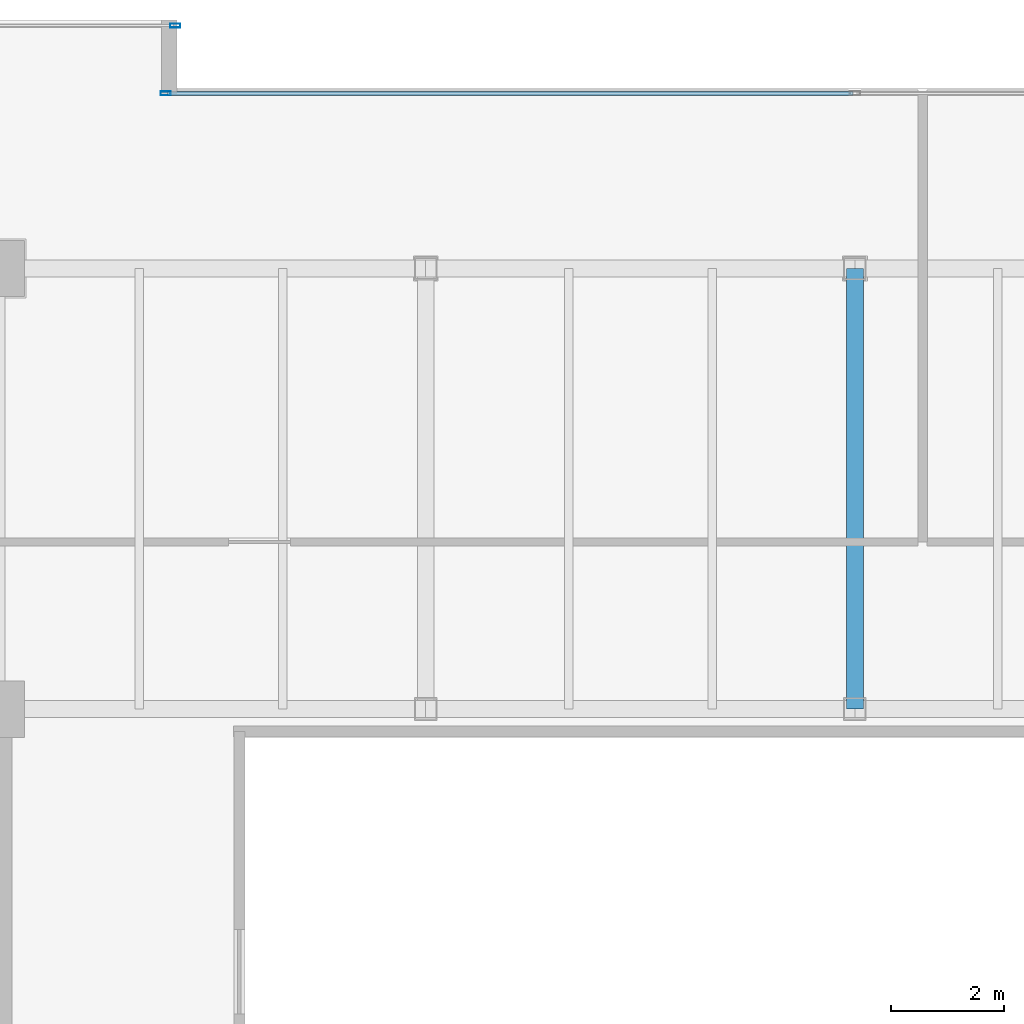
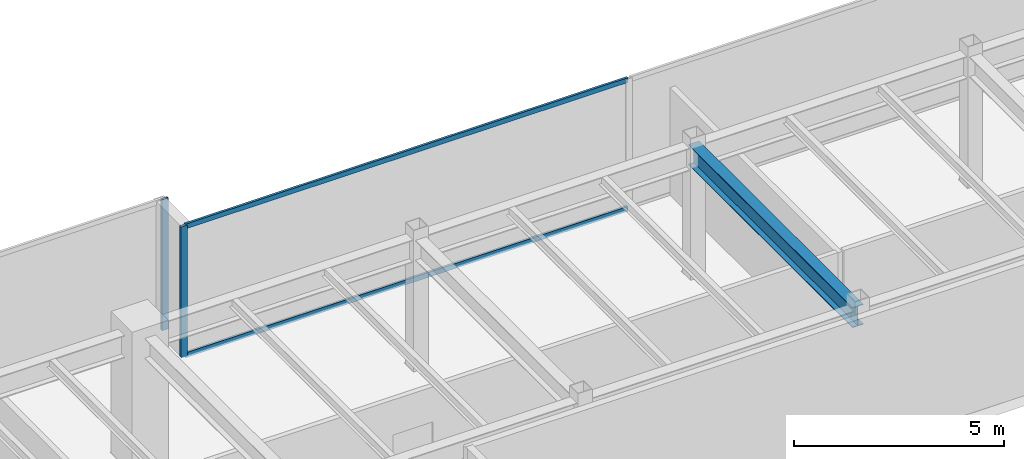
# One storey, part 17 of 35: 4 members, 1 beam, 2 elements without a shape of their own.
"""IFC4 building model written with IfcOpenShell, lengths in metres."""

import ifcopenshell
import ifcopenshell.guid

model = None  # the IFC model being written
_history = None  # IfcOwnerHistory: only IFC2X3 demands one
_inside = {}  # id of a spatial element -> (the spatial element, [elements in it])
_under = {}  # id of a project, library or spatial element -> (it, [spatial elements below it])
_declared = {}  # id of a project -> (the project, [libraries it declares])
_typed = {}  # id of a type object -> (the type object, [elements of that type])
_made_of = {}  # id of a material, layer set ... -> (it, [elements and type objects made of it])


def new_model(schema):
    """Start an empty IFC model of exactly this schema.

    Asked for "IFC4X3", IfcOpenShell would pick the latest addendum, in which some entities
    have other attributes; the version numbers below select the first issue.
    IFC2X3 requires an IfcOwnerHistory on every rooted entity: one is made here for all.
    """
    global model, _history
    if schema == "IFC4X3":
        model = ifcopenshell.file(schema_version=(4, 3, 0, 0))
    else:
        model = ifcopenshell.file(schema=schema)
    _inside.clear()
    _under.clear()
    _declared.clear()
    _typed.clear()
    _made_of.clear()
    _history = None
    if model.schema == "IFC2X3":
        org = make("IfcOrganization", Name="unknown")
        user = make(
            "IfcPersonAndOrganization",
            ThePerson=make("IfcPerson", FamilyName="unknown"),
            TheOrganization=org,
        )
        app = make(
            "IfcApplication",
            ApplicationDeveloper=org,
            Version="unknown",
            ApplicationFullName="unknown",
            ApplicationIdentifier="unknown",
        )
        _history = make(
            "IfcOwnerHistory",
            OwningUser=user,
            OwningApplication=app,
            ChangeAction="ADDED",
            CreationDate=0,
        )
    return model


def make(cls, **values):
    """One entity of the class cls with the attributes given. An attribute that is None is left unset."""
    return model.create_entity(
        cls, **{name: value for name, value in values.items() if value is not None}
    )


def rooted(cls, **values):
    """An entity with a GlobalId (a new one), such as an element, a storey or a relation."""
    return make(cls, GlobalId=ifcopenshell.guid.new(), OwnerHistory=_history, **values)


def si_unit(unit_type, name, prefix=None):
    """IfcSIUnit, for example si_unit("LENGTHUNIT", "METRE", prefix="MILLI")."""
    return make("IfcSIUnit", UnitType=unit_type, Prefix=prefix, Name=name)


def assignment(units):
    """IfcUnitAssignment: the units of a project."""
    return None if units is None else make("IfcUnitAssignment", Units=units)


def point(xyz):
    """IfcCartesianPoint."""
    return None if xyz is None else make("IfcCartesianPoint", Coordinates=xyz)


def direction(xyz):
    """IfcDirection."""
    return None if xyz is None else make("IfcDirection", DirectionRatios=xyz)


def frame(location, z_axis=None, x_axis=None):
    """IfcAxis2Placement3D, a coordinate frame: its origin and axes. An axis left out is left unset."""
    return make(
        "IfcAxis2Placement3D",
        Location=point(location),
        Axis=direction(z_axis),
        RefDirection=direction(x_axis),
    )


def frame_2d(location, x_axis=None):
    """IfcAxis2Placement2D, a coordinate frame in the plane: its origin and x axis."""
    return make(
        "IfcAxis2Placement2D", Location=point(location), RefDirection=direction(x_axis)
    )


def origin():
    """The frame at (0, 0, 0) with its axes left unset."""
    return frame((0.0, 0.0, 0.0))


def origin_2d():
    """The frame at (0, 0) in the plane with its x axis left unset."""
    return frame_2d((0.0, 0.0))


def place(relative_to, where):
    """IfcLocalPlacement: puts the frame where relative to a parent placement (None: the world)."""
    return make(
        "IfcLocalPlacement", PlacementRelTo=relative_to, RelativePlacement=where
    )


def context(
    kind, dimensions, precision=None, world=None, true_north=None, identifier=None
):
    """IfcGeometricRepresentationContext, for example the 3D "Model" context."""
    return make(
        "IfcGeometricRepresentationContext",
        ContextIdentifier=identifier,
        ContextType=kind,
        CoordinateSpaceDimension=dimensions,
        Precision=precision,
        WorldCoordinateSystem=world,
        TrueNorth=true_north,
    )


def subcontext(parent, identifier, kind, view, scale=None):
    """IfcGeometricRepresentationSubContext, for example "Body" below "Model"."""
    return make(
        "IfcGeometricRepresentationSubContext",
        ContextIdentifier=identifier,
        ContextType=kind,
        ParentContext=parent,
        TargetScale=scale,
        TargetView=view,
    )


def project(units=None, contexts=None):
    """IfcProject with its units and contexts."""
    return rooted(
        "IfcProject",
        Name="project",
        RepresentationContexts=contexts,
        UnitsInContext=assignment(units),
    )


def spatial(cls, under=None, at=None, **own):
    """A site, building, storey or space (cls), placed at a placement, below another one or the project."""
    s = rooted(cls, ObjectPlacement=at, **own)
    if under is not None:
        _under.setdefault(under.id(), (under, []))[1].append(s)
    return s


def profile(cls, at=None, kind="AREA", **sizes):
    """A parametric profile (cls). Its sizes go by their IFC names, for example OverallWidth=200.0."""
    return make(cls, ProfileType=kind, Position=at, **sizes)


def hollow_rectangle(**sizes):
    """IfcRectangleHollowProfileDef."""
    return profile("IfcRectangleHollowProfileDef", **sizes)


def i_section(**sizes):
    """IfcIShapeProfileDef."""
    return profile("IfcIShapeProfileDef", **sizes)


def extrude(swept, where, along, depth):
    """IfcExtrudedAreaSolid: the profile swept, set in the frame where, extruded along a direction by depth."""
    return make(
        "IfcExtrudedAreaSolid",
        SweptArea=swept,
        Position=where,
        ExtrudedDirection=direction(along),
        Depth=depth,
    )


def shape(context_of_items, identifier, shape_type, items):
    """IfcShapeRepresentation: the items that make up one representation, for example the "Body"."""
    return make(
        "IfcShapeRepresentation",
        ContextOfItems=context_of_items,
        RepresentationIdentifier=identifier,
        RepresentationType=shape_type,
        Items=items,
    )


def source(mapping_origin, context_of_items, identifier, shape_type, items):
    """IfcRepresentationMap: a shape defined once, which mapped items show again and again."""
    return make(
        "IfcRepresentationMap",
        MappingOrigin=mapping_origin,
        MappedRepresentation=shape(context_of_items, identifier, shape_type, items),
    )


def transform(
    local_origin,
    x_axis=None,
    y_axis=None,
    z_axis=None,
    scale=None,
    scale2=None,
    scale3=None,
    uniform=True,
):
    """IfcCartesianTransformationOperator3D, or its non-uniform kind. x_axis, y_axis, z_axis: its Axis1, 2, 3."""
    if uniform:
        return make(
            "IfcCartesianTransformationOperator3D",
            Axis1=direction(x_axis),
            Axis2=direction(y_axis),
            LocalOrigin=point(local_origin),
            Scale=scale,
            Axis3=direction(z_axis),
        )
    return make(
        "IfcCartesianTransformationOperator3DnonUniform",
        Axis1=direction(x_axis),
        Axis2=direction(y_axis),
        LocalOrigin=point(local_origin),
        Scale=scale,
        Axis3=direction(z_axis),
        Scale2=scale2,
        Scale3=scale3,
    )


def mapped(mapping_source, mapping_target):
    """IfcMappedItem: shows the shape of a source again, moved by a transform."""
    return make(
        "IfcMappedItem", MappingSource=mapping_source, MappingTarget=mapping_target
    )


def material(Name=None, Category=None):
    """IfcMaterial."""
    return make("IfcMaterial", Name=Name, Category=Category)


def layer(
    of_material, thickness, ventilated=None, Name=None, Category=None, Priority=None
):
    """IfcMaterialLayer: one layer of a wall or slab, of a material (None: an air gap)."""
    return make(
        "IfcMaterialLayer",
        Material=of_material,
        LayerThickness=thickness,
        IsVentilated=ventilated,
        Name=Name,
        Category=Category,
        Priority=Priority,
    )


def layer_set(layers, Name=None):
    """IfcMaterialLayerSet."""
    return make("IfcMaterialLayerSet", MaterialLayers=layers, LayerSetName=Name)


def material_profile(
    of_material, cross_section, Name=None, Category=None, Priority=None
):
    """IfcMaterialProfile: a cross section and its material."""
    return make(
        "IfcMaterialProfile",
        Name=Name,
        Material=of_material,
        Profile=cross_section,
        Priority=Priority,
        Category=Category,
    )


def profile_set(profiles, Name=None, composite=None):
    """IfcMaterialProfileSet."""
    return make(
        "IfcMaterialProfileSet",
        Name=Name,
        MaterialProfiles=profiles,
        CompositeProfile=composite,
    )


def made_of(thing, what):
    """Note that an element or type object is made of a material, layer set ...; save() writes the relation."""
    if what is not None:
        _made_of.setdefault(what.id(), (what, []))[1].append(thing)
    return thing


def type_object(cls, material=None, **own):
    """A type object (cls), such as IfcWallType, which elements share."""
    return made_of(rooted(cls, **own), material)


def type_shapes(of_type, sources):
    """Give a type object the sources (RepresentationMaps) that its elements show as mapped items."""
    of_type.RepresentationMaps = sources


def element(
    cls,
    number,
    at=None,
    inside=None,
    cuts=None,
    type_object=None,
    material=None,
    context=None,
    identifier="Body",
    shape_type=None,
    held_by="IfcProductDefinitionShape",
    body=None,
    shapes=None,
    **own,
):
    """One element of the class cls, such as IfcWall. Its Tag is "e" and its number.

    at: its placement. inside: the storey or other place that contains it. cuts: it is an
    opening in that element (IfcRelVoidsElement). A single representation is given by context,
    identifier, shape_type and body (its items); several are given by shapes. held_by: the class
    of the entity that holds the representations. save() writes the other relations.
    """
    e = rooted(cls, Tag="e%d" % number, ObjectPlacement=at, **own)
    if body is not None:
        shapes = [shape(context, identifier, shape_type, body)]
    if shapes is not None:
        e.Representation = make(held_by, Representations=shapes)
    if inside is not None:
        _inside.setdefault(inside.id(), (inside, []))[1].append(e)
    if cuts is not None:
        rooted(
            "IfcRelVoidsElement", RelatingBuildingElement=cuts, RelatedOpeningElement=e
        )
    if type_object is not None:
        _typed.setdefault(type_object.id(), (type_object, []))[1].append(e)
    return made_of(e, material)


def aggregate(whole, parts):
    """IfcRelAggregates: a whole, such as a stair, and the parts it consists of."""
    return rooted("IfcRelAggregates", RelatingObject=whole, RelatedObjects=parts)


def save(model, path):
    """Write the relations noted so far, then the file.

    IfcRelAggregates (storeys below a building ...), IfcRelContainedInSpatialStructure (elements
    in a storey), IfcRelDefinesByType, IfcRelAssociatesMaterial and IfcRelDeclares: one each for
    every whole, place, type object, material and project.
    """
    for whole, parts in _under.values():
        aggregate(whole, parts)
    for where, things in _inside.values():
        rooted(
            "IfcRelContainedInSpatialStructure",
            RelatedElements=things,
            RelatingStructure=where,
        )
    for kind, things in _typed.values():
        rooted("IfcRelDefinesByType", RelatedObjects=things, RelatingType=kind)
    for what, things in _made_of.values():
        rooted("IfcRelAssociatesMaterial", RelatedObjects=things, RelatingMaterial=what)
    for by, libraries in _declared.values():
        rooted("IfcRelDeclares", RelatingContext=by, RelatedDefinitions=libraries)
    model.write(path)


model = new_model("IFC4")

# Units and contexts
model_context = context("Model", 3, precision=1e-05, world=origin(), true_north=direction((0.0, 1.0)))
body_context = subcontext(model_context, "Body", "Model", "MODEL_VIEW")
ifc_project = project(units=[si_unit("LENGTHUNIT", "METRE"), si_unit("AREAUNIT", "SQUARE_METRE"), si_unit("VOLUMEUNIT", "CUBIC_METRE"), si_unit("PLANEANGLEUNIT", "RADIAN"), si_unit("MASSUNIT", "GRAM", prefix="KILO")], contexts=[model_context])

# Site, building, storey
site_placement = place(None, origin())
site = spatial("IfcSite", under=ifc_project, at=site_placement, CompositionType="ELEMENT")
building_placement = place(site_placement, origin())
building = spatial("IfcBuilding", under=site, at=building_placement, Name="Haelvirn Gate Laboratories", CompositionType="ELEMENT")
storey_placement = place(building_placement, frame((0.0, 0.0, 226.0)))
storey = spatial("IfcBuildingStorey", under=building, at=storey_placement, Name="L54", CompositionType="ELEMENT", Elevation=226.0)

# Beam
ifc_material_1 = material(Name="Steel SM355", Category="steel")
ifc_material_profile_1 = material_profile(ifc_material_1, i_section(OverallWidth=0.300048828125, OverallDepth=0.587890625, WebThickness=0.011962890625, FlangeThickness=0.02001953125, at=origin_2d()), Name="H-588x300x12x20")
ifc_profile_set_1 = profile_set([ifc_material_profile_1], Name="Steel SM355")
beam_type = type_object("IfcBeamType", Name="BM-G-588", PredefinedType="BEAM", material=ifc_profile_set_1)
shared_shape_1 = source(origin(), body_context, "Body", "SweptSolid", [
    extrude(i_section(OverallWidth=0.300048828125, OverallDepth=0.587890625, WebThickness=0.011962890625, FlangeThickness=0.02001953125, at=origin_2d()), origin(), (0.0, 0.0, 1.0), 7.800048828125),
])
type_shapes(beam_type, [shared_shape_1])
beam_placement = place(storey_placement, frame((37.39990234375, 33.800048828125, 3.506103515625), z_axis=(0.0, 1.0, 0.0), x_axis=(-1.0, 0.0, 0.0)))
element("IfcBeam", 1, at=beam_placement, inside=storey, type_object=beam_type, Name="L54 Frame Girder X37.4 (33.8-41.6)", PredefinedType="BEAM", context=body_context, shape_type="MappedRepresentation", body=[
    mapped(shared_shape_1, transform((0.0, 0.0, 0.0), scale=1.0)),
])

# Curtain wall, members
ifc_material_2 = material(Name="Anodised bronze unitised aluminium & triple low-E glass", Category="aluminium")
ifc_layer = layer(ifc_material_2, 0.176025390625, Name="CW-SYS-4")
ifc_layer_set = layer_set([ifc_layer], Name="Anodised bronze unitised aluminium & triple low-E glass")
curtain_wall_type = type_object("IfcCurtainWallType", Name="CW-SYS-4", PredefinedType="NOTDEFINED", material=ifc_layer_set)
curtain_wall_1_placement = place(storey_placement, origin())
curtain_wall_1 = element("IfcCurtainWall", 2, at=curtain_wall_1_placement, inside=storey, type_object=curtain_wall_type, Name="L54 Unitised Curtain Wall CW-L54-P0-E12-1", PredefinedType="NOTDEFINED")
ifc_material_3 = material(Name="Extruded aluminium 6063-T6 (anodised bronze)", Category="aluminium")
ifc_material_profile_2 = material_profile(ifc_material_3, hollow_rectangle(XDim=0.06494140625, YDim=0.139892578125, WallThickness=0.00390625, at=origin_2d()), Name="CWT-140x65x4")
ifc_profile_set_2 = profile_set([ifc_material_profile_2], Name="Extruded aluminium 6063-T6 (anodised bronze)")
member_type_1 = type_object("IfcMemberType", Name="CWT-T140", PredefinedType="USERDEFINED", material=ifc_profile_set_2)
shared_shape_2 = source(origin(), body_context, "Body", "SweptSolid", [
    extrude(hollow_rectangle(XDim=0.06494140625, YDim=0.139892578125, WallThickness=0.00390625, at=origin_2d()), origin(), (0.0, 0.0, 1.0), 12.135009765625),
])
type_shapes(member_type_1, [shared_shape_2])
member_1_placement = place(storey_placement, frame((25.22998046875, 44.699951171875, 0.032470703125), z_axis=(1.0, 0.0, 0.0), x_axis=(0.0, 1.0, 0.0)))
member_1 = element("IfcMember", 3, at=member_1_placement, type_object=member_type_1, Name="CW4 transom 1.1", ObjectType="TRANSOM", PredefinedType="USERDEFINED", context=body_context, shape_type="MappedRepresentation", body=[
    mapped(shared_shape_2, transform((0.0, 0.0, 0.0), scale=1.0)),
])
member_2_placement = place(storey_placement, frame((25.22998046875, 44.699951171875, 3.767578125), z_axis=(1.0, 0.0, 0.0), x_axis=(0.0, 1.0, 0.0)))
member_2 = element("IfcMember", 4, at=member_2_placement, type_object=member_type_1, Name="CW4 transom 1.2", ObjectType="TRANSOM", PredefinedType="USERDEFINED", context=body_context, shape_type="MappedRepresentation", body=[
    mapped(shared_shape_2, transform((0.0, 0.0, 0.0), scale=1.0)),
])
ifc_material_profile_3 = material_profile(ifc_material_3, hollow_rectangle(XDim=0.070068359375, YDim=0.179931640625, WallThickness=0.0048828125, at=origin_2d()), Name="CWM-180x70x5")
ifc_profile_set_3 = profile_set([ifc_material_profile_3], Name="Extruded aluminium 6063-T6 (anodised bronze)")
member_type_2 = type_object("IfcMemberType", Name="CWM-T180", PredefinedType="MULLION", material=ifc_profile_set_3)
shared_shape_3 = source(origin(), body_context, "Body", "SweptSolid", [
    extrude(hollow_rectangle(XDim=0.070068359375, YDim=0.179931640625, WallThickness=0.0048828125, at=origin_2d()), origin(), (0.0, 0.0, 1.0), 3.800048828125),
])
type_shapes(member_type_2, [shared_shape_3])
member_3_placement = place(storey_placement, frame((25.195068359375, 44.699951171875, 0.0), z_axis=(0.0, 0.0, 1.0), x_axis=(0.0, 1.0, 0.0)))
member_3 = element("IfcMember", 5, at=member_3_placement, type_object=member_type_2, Name="CW4 mullion 1", PredefinedType="MULLION", context=body_context, shape_type="MappedRepresentation", body=[
    mapped(shared_shape_3, transform((0.0, 0.0, 0.0), scale=1.0)),
])
aggregate(curtain_wall_1, [member_3, member_1, member_2])

# Curtain wall, member
curtain_wall_2_placement = place(storey_placement, origin())
curtain_wall_2 = element("IfcCurtainWall", 6, at=curtain_wall_2_placement, inside=storey, type_object=curtain_wall_type, Name="L54 Unitised Curtain Wall CW-L54-P0-E14-1", PredefinedType="NOTDEFINED")
member_4_placement = place(storey_placement, frame((25.364990234375, 45.89990234375, 0.0), z_axis=(0.0, 0.0, 1.0), x_axis=(0.0, 1.0, 0.0)))
member_4 = element("IfcMember", 7, at=member_4_placement, type_object=member_type_2, Name="CW4 mullion 3", PredefinedType="MULLION", context=body_context, shape_type="MappedRepresentation", body=[
    mapped(shared_shape_3, transform((0.0, 0.0, 0.0), scale=1.0)),
])
aggregate(curtain_wall_2, [member_4])

save(model, "model.ifc")
